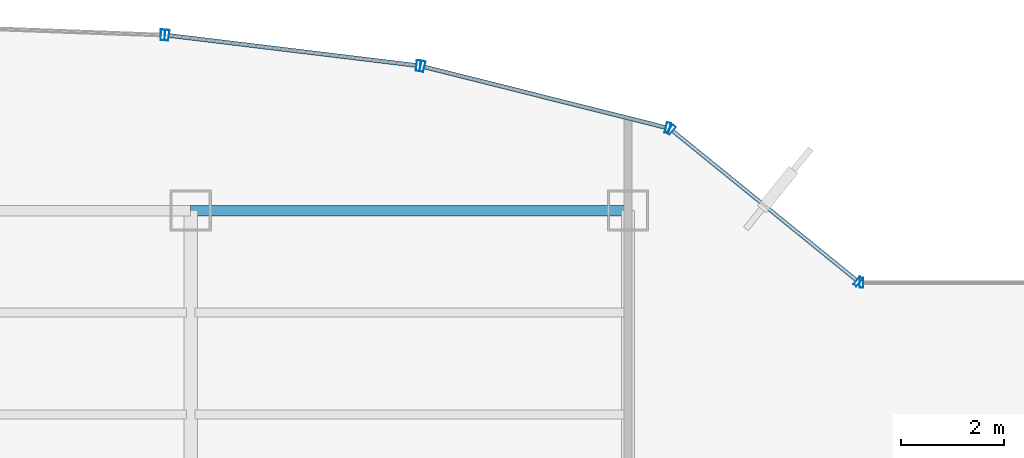
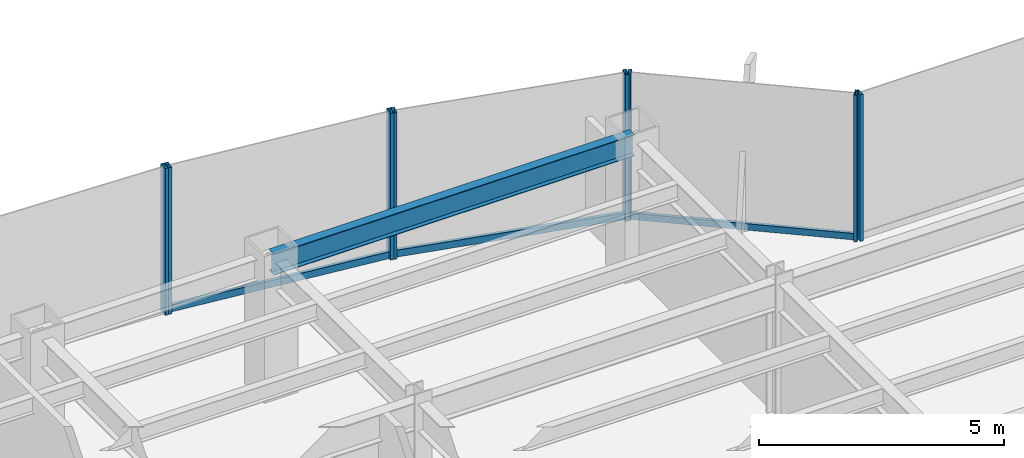
# One storey, part 18 of 26: 11 members, 1 beam, 5 elements without a shape of their own.
"""IFC4 building model written with IfcOpenShell, lengths in metres."""

from ifc_helpers import new_model, si_unit, derived_unit, direction, frame, origin, origin_2d, place, context, subcontext, project, spatial, hollow_rectangle, i_section, extrude, source, transform, mapped, material, material_profile, profile_set, type_object, element, aggregate, save


model = new_model("IFC4")

# Units and contexts
model_context = context("Model", 3, precision=1e-05, world=origin(), true_north=direction((0.0, 1.0)))
body_context = subcontext(model_context, "Body", "Model", "MODEL_VIEW")
ifc_project = project(units=[si_unit("LENGTHUNIT", "METRE"), si_unit("AREAUNIT", "SQUARE_METRE"), si_unit("VOLUMEUNIT", "CUBIC_METRE"), si_unit("PLANEANGLEUNIT", "RADIAN"), si_unit("MASSUNIT", "GRAM", prefix="KILO"), derived_unit("THERMALTRANSMITTANCEUNIT", [(si_unit("POWERUNIT", "WATT"), 1), (si_unit("LENGTHUNIT", "METRE"), -2), (si_unit("THERMODYNAMICTEMPERATUREUNIT", "KELVIN"), -1)])], contexts=[model_context])

# Site, building, storey
site_placement = place(None, origin())
site = spatial("IfcSite", under=ifc_project, at=site_placement, CompositionType="ELEMENT")
building_placement = place(site_placement, origin())
building = spatial("IfcBuilding", under=site, at=building_placement, Name="Skarnbrae Concourse Arena and Tower", CompositionType="ELEMENT")
storey_placement = place(building_placement, frame((0.0, 0.0, 99.60009765625)))
storey = spatial("IfcBuildingStorey", under=building, at=storey_placement, Name="L24", CompositionType="ELEMENT", Elevation=99.60009765625)

# Beam
ifc_material_1 = material(Name="Steel CSA G40.21 350W", Category="steel")
ifc_material_profile_1 = material_profile(ifc_material_1, i_section(OverallWidth=0.208984375, OverallDepth=0.532958984375, WebThickness=0.01025390625, FlangeThickness=0.015625, at=origin_2d()), Name="W530X92")
ifc_profile_set_1 = profile_set([ifc_material_profile_1], Name="Steel CSA G40.21 350W")
beam_type = type_object("IfcBeamType", Name="BM-SPAN-W530X92", PredefinedType="SPANDREL", material=ifc_profile_set_1)
shared_shape_1 = source(origin(), body_context, "Body", "SweptSolid", [
    extrude(i_section(OverallWidth=0.208984375, OverallDepth=0.532958984375, WebThickness=0.01025390625, FlangeThickness=0.015625, at=origin_2d()), origin(), (0.0, 0.0, 1.0), 8.5),
])
beam_placement = place(storey_placement, frame((33.5, 40.39990234375, 3.13330078125), z_axis=(1.0, 0.0, 0.0), x_axis=(0.0, 1.0, 0.0)))
element("IfcBeam", 1, at=beam_placement, inside=storey, type_object=beam_type, Name="L24 Perimeter spandrel Y40.4-4", PredefinedType="SPANDREL", context=body_context, shape_type="MappedRepresentation", body=[
    mapped(shared_shape_1, transform((0.0, 0.0, 0.0))),
])

# Curtain wall, members
ifc_material_2 = material(Name="Bronze anodised aluminium 6063-T6", Category="aluminium")
curtain_wall_type_1 = type_object("IfcCurtainWallType", Name="CW-SYS-03-PORTAL", PredefinedType="USERDEFINED", material=ifc_material_2)
curtain_wall_1_placement = place(storey_placement, origin())
curtain_wall_1 = element("IfcCurtainWall", 2, at=curtain_wall_1_placement, inside=storey, type_object=curtain_wall_type_1, Name="L24 Unitised curtain wall CW-L24-E09", ObjectType="UNITISED CURTAIN WALL", PredefinedType="USERDEFINED")
ifc_material_profile_2 = material_profile(ifc_material_2, hollow_rectangle(XDim=0.080078125, YDim=0.2099609375, WallThickness=0.00439453125, at=origin_2d()), Name="ALU-MULL-80X210")
ifc_profile_set_2 = profile_set([ifc_material_profile_2], Name="Bronze anodised aluminium 6063-T6")
member_type_1 = type_object("IfcMemberType", Name="CWM-CW-03", PredefinedType="MULLION", material=ifc_profile_set_2)
shared_shape_2 = source(origin(), body_context, "Body", "SweptSolid", [
    extrude(hollow_rectangle(XDim=0.080078125, YDim=0.2099609375, WallThickness=0.00439453125, at=origin_2d()), origin(), (0.0, 0.0, 1.0), 3.64990234375),
])
member_1_placement = place(storey_placement, frame((42.772216796875, 42.005615234375, 0.0), z_axis=(0.0, 0.0, 1.0), x_axis=(-0.969903046166, 0.243491439351, 0.0)))
member_1 = element("IfcMember", 3, at=member_1_placement, type_object=member_type_1, Name="CW-L24-E09 Mullion 1", PredefinedType="MULLION", context=body_context, shape_type="MappedRepresentation", body=[
    mapped(shared_shape_2, transform((0.0, 0.0, 0.0))),
])
member_2_placement = place(storey_placement, frame((38.0029296875, 43.203125, 0.0), z_axis=(0.0, 0.0, 1.0), x_axis=(-0.969903046166, 0.243491439351, 0.0)))
member_2 = element("IfcMember", 4, at=member_2_placement, type_object=member_type_1, Name="CW-L24-E09 Mullion 2", PredefinedType="MULLION", context=body_context, shape_type="MappedRepresentation", body=[
    mapped(shared_shape_2, transform((0.0, 0.0, 0.0))),
])

curtain_wall_2_placement = place(storey_placement, origin())
curtain_wall_2 = element("IfcCurtainWall", 5, at=curtain_wall_2_placement, inside=storey, type_object=curtain_wall_type_1, Name="L24 Unitised curtain wall CW-L24-E10", ObjectType="UNITISED CURTAIN WALL", PredefinedType="USERDEFINED")
member_3_placement = place(storey_placement, frame((37.924560546875, 43.217529296875, 0.0), z_axis=(0.0, 0.0, 1.0), x_axis=(-0.992749371969, 0.120202680731, 0.0)))
member_3 = element("IfcMember", 6, at=member_3_placement, type_object=member_type_1, Name="CW-L24-E10 Mullion 1", PredefinedType="MULLION", context=body_context, shape_type="MappedRepresentation", body=[
    mapped(shared_shape_2, transform((0.0, 0.0, 0.0))),
])
member_4_placement = place(storey_placement, frame((33.03857421875, 43.80908203125, 0.0), z_axis=(0.0, 0.0, 1.0), x_axis=(-0.992749371969, 0.120202680731, 0.0)))
member_4 = element("IfcMember", 7, at=member_4_placement, type_object=member_type_1, Name="CW-L24-E10 Mullion 2", PredefinedType="MULLION", context=body_context, shape_type="MappedRepresentation", body=[
    mapped(shared_shape_2, transform((0.0, 0.0, 0.0))),
])

# Curtain wall, member
curtain_wall_3_placement = place(storey_placement, origin())
curtain_wall_3 = element("IfcCurtainWall", 8, at=curtain_wall_3_placement, inside=storey, type_object=curtain_wall_type_1, Name="L24 Unitised curtain wall CW-L24-E11", ObjectType="UNITISED CURTAIN WALL", PredefinedType="USERDEFINED")
member_5_placement = place(storey_placement, frame((32.958984375, 43.8154296875, 0.0), z_axis=(0.0, 0.0, 1.0), x_axis=(-0.999308486252, 0.037182647889, 0.0)))
member_5 = element("IfcMember", 9, at=member_5_placement, type_object=member_type_1, Name="CW-L24-E11 Mullion 1", PredefinedType="MULLION", context=body_context, shape_type="MappedRepresentation", body=[
    mapped(shared_shape_2, transform((0.0, 0.0, 0.0))),
])
aggregate(curtain_wall_3, [member_5])

curtain_wall_type_2 = type_object("IfcCurtainWallType", Name="CW-SYS-04-MIDZONE", PredefinedType="USERDEFINED", material=ifc_material_2)
curtain_wall_4_placement = place(storey_placement, origin())
curtain_wall_4 = element("IfcCurtainWall", 10, at=curtain_wall_4_placement, inside=storey, type_object=curtain_wall_type_2, Name="L24 Unitised curtain wall CW-L24-E08", ObjectType="UNITISED CURTAIN WALL", PredefinedType="USERDEFINED")
ifc_material_profile_3 = material_profile(ifc_material_2, hollow_rectangle(XDim=0.074951171875, YDim=0.159912109375, WallThickness=0.00439453125, at=origin_2d()), Name="ALU-TRAN-75X160")
ifc_profile_set_3 = profile_set([ifc_material_profile_3], Name="Bronze anodised aluminium 6063-T6")
member_type_2 = type_object("IfcMemberType", Name="CWT-CW-04", PredefinedType="USERDEFINED", material=ifc_profile_set_3)
shared_shape_3 = source(origin(), body_context, "Body", "SweptSolid", [
    extrude(hollow_rectangle(XDim=0.074951171875, YDim=0.159912109375, WallThickness=0.00439453125, at=origin_2d()), origin(), (0.0, 0.0, 1.0), 4.602294921875),
])
member_6_placement = place(storey_placement, frame((46.44189453125, 39.04736328125, 0.079833984375), z_axis=(-0.776251906445, 0.630422856297, 0.0), x_axis=(-0.630422856297, -0.776251906445, 0.0)))
member_6 = element("IfcMember", 11, at=member_6_placement, type_object=member_type_2, Name="CW-L24-E08 Transom 1", ObjectType="TRANSOM", PredefinedType="USERDEFINED", context=body_context, shape_type="MappedRepresentation", body=[
    mapped(shared_shape_3, transform((0.0, 0.0, 0.0))),
])

curtain_wall_5_placement = place(storey_placement, origin())
curtain_wall_5 = element("IfcCurtainWall", 12, at=curtain_wall_5_placement, inside=storey, type_object=curtain_wall_type_2, Name="L24 Unitised curtain wall CW-L24-E07", ObjectType="UNITISED CURTAIN WALL", PredefinedType="USERDEFINED")
ifc_material_profile_4 = material_profile(ifc_material_2, hollow_rectangle(XDim=0.074951171875, YDim=0.195068359375, WallThickness=0.00439453125, at=origin_2d()), Name="ALU-MULL-75X195")
ifc_profile_set_4 = profile_set([ifc_material_profile_4], Name="Bronze anodised aluminium 6063-T6")
member_type_3 = type_object("IfcMemberType", Name="CWM-CW-04", PredefinedType="MULLION", material=ifc_profile_set_4)
shared_shape_4 = source(origin(), body_context, "Body", "SweptSolid", [
    extrude(hollow_rectangle(XDim=0.074951171875, YDim=0.195068359375, WallThickness=0.00439453125, at=origin_2d()), origin(), (0.0, 0.0, 1.0), 3.64990234375),
])
member_7_placement = place(storey_placement, frame((46.53759765625, 39.0, 0.0), z_axis=(0.0, 0.0, 1.0), x_axis=(-1.0, 0.0, 0.0)))
member_7 = element("IfcMember", 13, at=member_7_placement, type_object=member_type_3, Name="CW-L24-E07 Mullion 2", PredefinedType="MULLION", context=body_context, shape_type="MappedRepresentation", body=[
    mapped(shared_shape_4, transform((0.0, 0.0, 0.0))),
])
aggregate(curtain_wall_5, [member_7])

# Member
member_8_placement = place(storey_placement, frame((46.470947265625, 39.023681640625, 0.0), z_axis=(0.0, 0.0, 1.0), x_axis=(-0.776241200471, 0.630436038542, 0.0)))
member_8 = element("IfcMember", 14, at=member_8_placement, type_object=member_type_3, Name="CW-L24-E08 Mullion 1", PredefinedType="MULLION", context=body_context, shape_type="MappedRepresentation", body=[
    mapped(shared_shape_4, transform((0.0, 0.0, 0.0))),
])

member_9_placement = place(storey_placement, frame((42.840087890625, 41.972412109375, 0.0), z_axis=(0.0, 0.0, 1.0), x_axis=(-0.776241200471, 0.630436038542, 0.0)))
member_9 = element("IfcMember", 15, at=member_9_placement, type_object=member_type_3, Name="CW-L24-E08 Mullion 2", PredefinedType="MULLION", context=body_context, shape_type="MappedRepresentation", body=[
    mapped(shared_shape_4, transform((0.0, 0.0, 0.0))),
])

aggregate(curtain_wall_4, [member_8, member_9, member_6])

ifc_material_profile_5 = material_profile(ifc_material_2, hollow_rectangle(XDim=0.080078125, YDim=0.169921875, WallThickness=0.00439453125, at=origin_2d()), Name="ALU-TRAN-80X170")
ifc_profile_set_5 = profile_set([ifc_material_profile_5], Name="Bronze anodised aluminium 6063-T6")
member_type_4 = type_object("IfcMemberType", Name="CWT-CW-03", PredefinedType="USERDEFINED", material=ifc_profile_set_5)
shared_shape_5 = source(origin(), body_context, "Body", "SweptSolid", [
    extrude(hollow_rectangle(XDim=0.080078125, YDim=0.169921875, WallThickness=0.00439453125, at=origin_2d()), origin(), (0.0, 0.0, 1.0), 4.837158203125),
])
member_10_placement = place(storey_placement, frame((42.7333984375, 42.015380859375, 0.0849609375), z_axis=(-0.969895583622, 0.243521163084, 0.0), x_axis=(-0.243521163084, -0.969895583622, 0.0)))
member_10 = element("IfcMember", 16, at=member_10_placement, type_object=member_type_4, Name="CW-L24-E09 Transom 1", ObjectType="TRANSOM", PredefinedType="USERDEFINED", context=body_context, shape_type="MappedRepresentation", body=[
    mapped(shared_shape_5, transform((0.0, 0.0, 0.0))),
])

aggregate(curtain_wall_1, [member_1, member_2, member_10])

shared_shape_6 = source(origin(), body_context, "Body", "SweptSolid", [
    extrude(hollow_rectangle(XDim=0.080078125, YDim=0.169921875, WallThickness=0.00439453125, at=origin_2d()), origin(), (0.0, 0.0, 1.0), 4.841552734375),
])
member_11_placement = place(storey_placement, frame((37.884765625, 43.222412109375, 0.0849609375), z_axis=(-0.992747648444, 0.120216914405, 0.0), x_axis=(-0.120216914405, -0.992747648444, 0.0)))
member_11 = element("IfcMember", 17, at=member_11_placement, type_object=member_type_4, Name="CW-L24-E10 Transom 1", ObjectType="TRANSOM", PredefinedType="USERDEFINED", context=body_context, shape_type="MappedRepresentation", body=[
    mapped(shared_shape_6, transform((0.0, 0.0, 0.0))),
])

aggregate(curtain_wall_2, [member_3, member_4, member_11])

save(model, "model.ifc")
